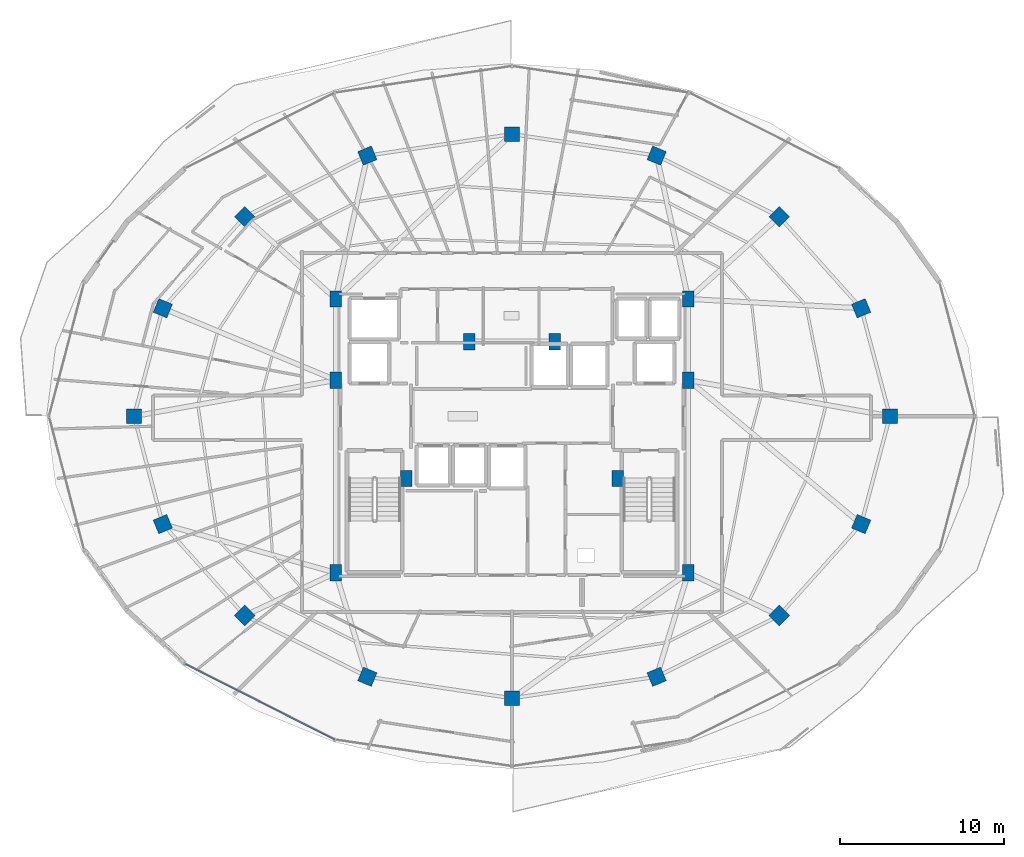
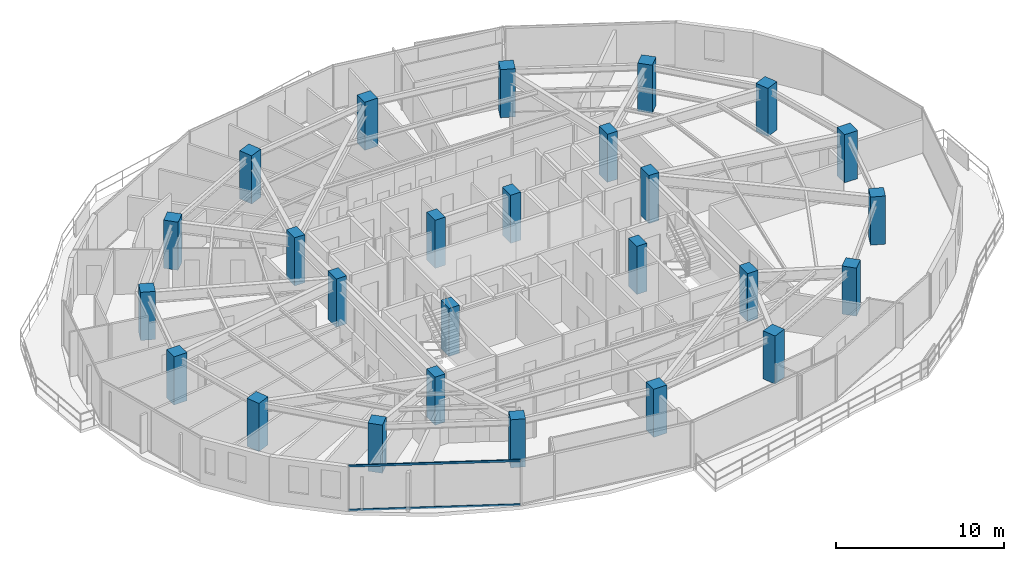
# One storey, part 1 of 31: 26 columns, 2 members, 1 element without a shape of its own.
"""IFC4 building model written with IfcOpenShell, lengths in metres."""

from ifc_helpers import new_model, si_unit, direction, frame, origin, origin_2d, place, context, subcontext, project, spatial, rectangle, hollow_rectangle, extrude, material, material_profile, profile_set, type_object, element, aggregate, save


model = new_model("IFC4")

# Units and contexts
model_context = context("Model", 3, precision=1e-05, world=origin(), true_north=direction((0.0, 1.0)))
body_context = subcontext(model_context, "Body", "Model", "MODEL_VIEW")
ifc_project = project(units=[si_unit("LENGTHUNIT", "METRE"), si_unit("AREAUNIT", "SQUARE_METRE"), si_unit("VOLUMEUNIT", "CUBIC_METRE"), si_unit("PLANEANGLEUNIT", "RADIAN"), si_unit("MASSUNIT", "GRAM", prefix="KILO")], contexts=[model_context])

# Site, building, storey
site_placement = place(None, origin())
site = spatial("IfcSite", under=ifc_project, at=site_placement, CompositionType="ELEMENT")
building_placement = place(site_placement, origin())
building = spatial("IfcBuilding", under=site, at=building_placement, Name="Vorneva Point Tower", CompositionType="ELEMENT")
storey_placement = place(building_placement, frame((0.0, 0.0, 193.10009765625)))
storey = spatial("IfcBuildingStorey", under=building, at=storey_placement, Name="L52", CompositionType="ELEMENT", Elevation=193.10009765625)

# Columns
ifc_material_1 = material(Name="Concrete B50 (C40/50)", Category="concrete")
ifc_material_profile_1 = material_profile(ifc_material_1, rectangle(XDim=0.89990234375, YDim=0.89990234375, at=origin_2d()), Name="RC-COL 900x900")
ifc_profile_set_1 = profile_set([ifc_material_profile_1], Name="Concrete B50 (C40/50)")
column_type_1 = type_object("IfcColumnType", Name="COL-RC900", PredefinedType="COLUMN", material=ifc_profile_set_1)
for number, where, z_axis, x_axis, name in (
    (1, (61.050048828125, 26.0, 0.0), (0.0, 0.0, 1.0), (1.0, 0.0, 0.0), "L52 Perimeter Column P01"),
    (2, (59.29541015625, 32.582275390625, 0.0), (0.0, 0.0, 1.0), (0.923879532511, 0.382683432365, 0.0), "L52 Perimeter Column P02"),
    (3, (54.298828125, 38.162109375, 0.0), (0.0, 0.0, 1.0), (0.707106781187, 0.707106781187, 0.0), "L52 Perimeter Column P03"),
    (4, (46.82080078125, 41.890625, 0.0), (0.0, 0.0, 1.0), (0.382683432365, 0.923879532511, 0.0), "L52 Perimeter Column P04"),
    (5, (38.0, 43.199951171875, 0.0), (0.0, 0.0, 1.0), (0.0, 1.0, 0.0), "L52 Perimeter Column P05"),
    (6, (29.17919921875, 41.890625, 0.0), (0.0, 0.0, 1.0), (-0.382683432365, 0.923879532511, 0.0), "L52 Perimeter Column P06"),
    (7, (21.701171875, 38.162109375, 0.0), (0.0, 0.0, 1.0), (-0.707106781187, 0.707106781187, 0.0), "L52 Perimeter Column P07"),
    (8, (16.70458984375, 32.582275390625, 0.0), (0.0, 0.0, 1.0), (-0.923879532511, 0.382683432365, 0.0), "L52 Perimeter Column P08"),
    (9, (14.949951171875, 26.0, 0.0), (0.0, 0.0, 1.0), (-1.0, 0.0, 0.0), "L52 Perimeter Column P09"),
    (10, (16.70458984375, 19.417724609375, 0.0), (0.0, 0.0, 1.0), (-0.923879532511, -0.382683432365, 0.0), "L52 Perimeter Column P10"),
    (11, (21.701171875, 13.837890625, 0.0), (0.0, 0.0, 1.0), (-0.707106781187, -0.707106781187, 0.0), "L52 Perimeter Column P11"),
    (12, (29.17919921875, 10.109375, 0.0), (0.0, 0.0, 1.0), (-0.382683432365, -0.923879532511, 0.0), "L52 Perimeter Column P12"),
    (13, (38.0, 8.800048828125, 0.0), (0.0, 0.0, 1.0), (0.0, -1.0, 0.0), "L52 Perimeter Column P13"),
    (14, (46.82080078125, 10.109375, 0.0), (0.0, 0.0, 1.0), (0.382683432365, -0.923879532511, 0.0), "L52 Perimeter Column P14"),
    (15, (54.298828125, 13.837890625, 0.0), (0.0, 0.0, 1.0), (0.707106781187, -0.707106781187, 0.0), "L52 Perimeter Column P15"),
    (16, (59.29541015625, 19.417724609375, 0.0), (0.0, 0.0, 1.0), (0.923879532511, -0.382683432365, 0.0), "L52 Perimeter Column P16"),
):
    element("IfcColumn", number, at=place(storey_placement, frame(where, z_axis=z_axis, x_axis=x_axis)), inside=storey, type_object=column_type_1, Name=name, PredefinedType="COLUMN", context=body_context, shape_type="SweptSolid", body=[
        extrude(rectangle(XDim=0.89990234375, YDim=0.89990234375, at=origin_2d()), origin(), (0.0, 0.0, 1.0), 3.5),
    ])
ifc_material_profile_2 = material_profile(ifc_material_1, rectangle(XDim=0.699951171875, YDim=1.0, at=origin_2d()), Name="RC-PIL 1000x700")
ifc_profile_set_2 = profile_set([ifc_material_profile_2], Name="Concrete B50 (C40/50)")
column_type_2 = type_object("IfcColumnType", Name="PIL-RC1000x700", PredefinedType="PILASTER", material=ifc_profile_set_2)
for number, where, z_axis, x_axis, name in (
    (17, (27.25, 16.449951171875, 0.0), (0.0, 0.0, 1.0), (1.0, 0.0, 0.0), "L52 Core Pilaster CP1"),
    (18, (27.25, 28.199951171875, 0.0), (0.0, 0.0, 1.0), (1.0, 0.0, 0.0), "L52 Core Pilaster CP2"),
    (19, (27.25, 33.14990234375, 0.0), (0.0, 0.0, 1.0), (1.0, 0.0, 0.0), "L52 Core Pilaster CP3"),
    (20, (31.550048828125, 22.199951171875, 0.0), (0.0, 0.0, 1.0), (1.0, 0.0, 0.0), "L52 Core Pilaster CP4"),
    (21, (48.75, 33.14990234375, 0.0), (0.0, 0.0, 1.0), (1.0, 0.0, 0.0), "L52 Core Pilaster CP5"),
    (22, (48.75, 28.199951171875, 0.0), (0.0, 0.0, 1.0), (1.0, 0.0, 0.0), "L52 Core Pilaster CP6"),
    (23, (48.75, 16.449951171875, 0.0), (0.0, 0.0, 1.0), (1.0, 0.0, 0.0), "L52 Core Pilaster CP7"),
    (24, (44.449951171875, 22.199951171875, 0.0), (0.0, 0.0, 1.0), (1.0, 0.0, 0.0), "L52 Core Pilaster CP8"),
    (25, (35.39990234375, 30.550048828125, 0.0), (0.0, 0.0, 1.0), (1.0, 0.0, 0.0), "L52 Core Pilaster CP9"),
    (26, (40.60009765625, 30.550048828125, 0.0), (0.0, 0.0, 1.0), (1.0, 0.0, 0.0), "L52 Core Pilaster CP10"),
):
    element("IfcColumn", number, at=place(storey_placement, frame(where, z_axis=z_axis, x_axis=x_axis)), inside=storey, type_object=column_type_2, Name=name, PredefinedType="PILASTER", context=body_context, shape_type="SweptSolid", body=[
        extrude(rectangle(XDim=0.699951171875, YDim=1.0, at=origin_2d()), origin(), (0.0, 0.0, 1.0), 3.5),
    ])

# Curtain wall, members
ifc_material_2 = material(Name="Pale anodised aluminium", Category="aluminium")
curtain_wall_type = type_object("IfcCurtainWallType", Name="CW-RES-SYS", PredefinedType="NOTDEFINED", material=ifc_material_2)
curtain_wall_placement = place(storey_placement, origin())
curtain_wall = element("IfcCurtainWall", 27, at=curtain_wall_placement, inside=storey, type_object=curtain_wall_type, Name="L52 Unitised Curtain Wall CW-L52-R04", PredefinedType="NOTDEFINED")
ifc_material_profile_3 = material_profile(ifc_material_2, hollow_rectangle(XDim=0.074951171875, YDim=0.14990234375, WallThickness=0.00390625, at=origin_2d()), Name="AL-TRN 150x75x4")
ifc_profile_set_3 = profile_set([ifc_material_profile_3], Name="Pale anodised aluminium")
member_type = type_object("IfcMemberType", Name="CW-TRN-150", PredefinedType="USERDEFINED", material=ifc_profile_set_3)
member_1_placement = place(storey_placement, frame((18.038330078125, 10.9033203125, 0.02001953125), z_axis=(0.892510927709, -0.451025768576, 0.0), x_axis=(0.451025768576, 0.892510927709, 0.0)))
member_1 = element("IfcMember", 28, at=member_1_placement, type_object=member_type, Name="CW-L52-R04 Transom 01.1", ObjectType="TRANSOM", PredefinedType="USERDEFINED", context=body_context, shape_type="SweptSolid", body=[
    extrude(hollow_rectangle(XDim=0.074951171875, YDim=0.14990234375, WallThickness=0.00390625, at=origin_2d()), origin(), (0.0, 0.0, 1.0), 10.261474609375),
])
member_2_placement = place(storey_placement, frame((18.038330078125, 10.9033203125, 3.219970703125), z_axis=(0.892510927709, -0.451025768576, 0.0), x_axis=(0.451025768576, 0.892510927709, 0.0)))
member_2 = element("IfcMember", 29, at=member_2_placement, type_object=member_type, Name="CW-L52-R04 Transom 01.2", ObjectType="TRANSOM", PredefinedType="USERDEFINED", context=body_context, shape_type="SweptSolid", body=[
    extrude(hollow_rectangle(XDim=0.074951171875, YDim=0.14990234375, WallThickness=0.00390625, at=origin_2d()), origin(), (0.0, 0.0, 1.0), 10.261474609375),
])
aggregate(curtain_wall, [member_1, member_2])

save(model, "model.ifc")
